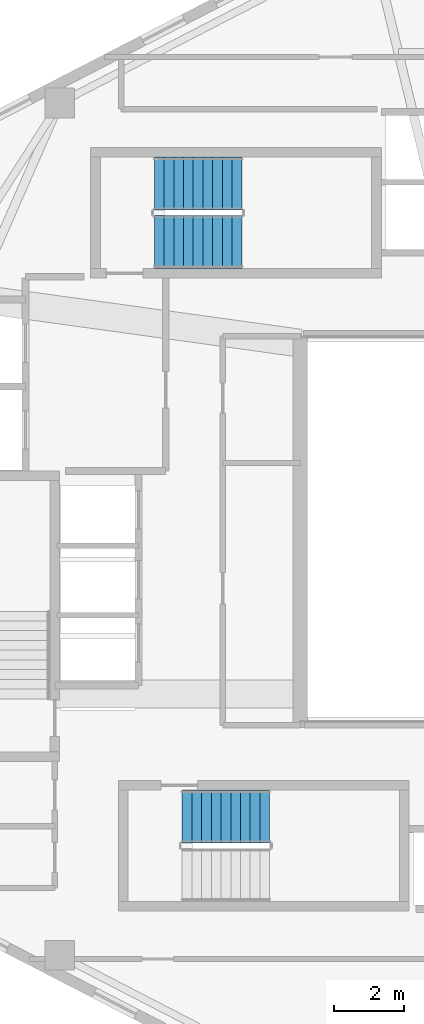
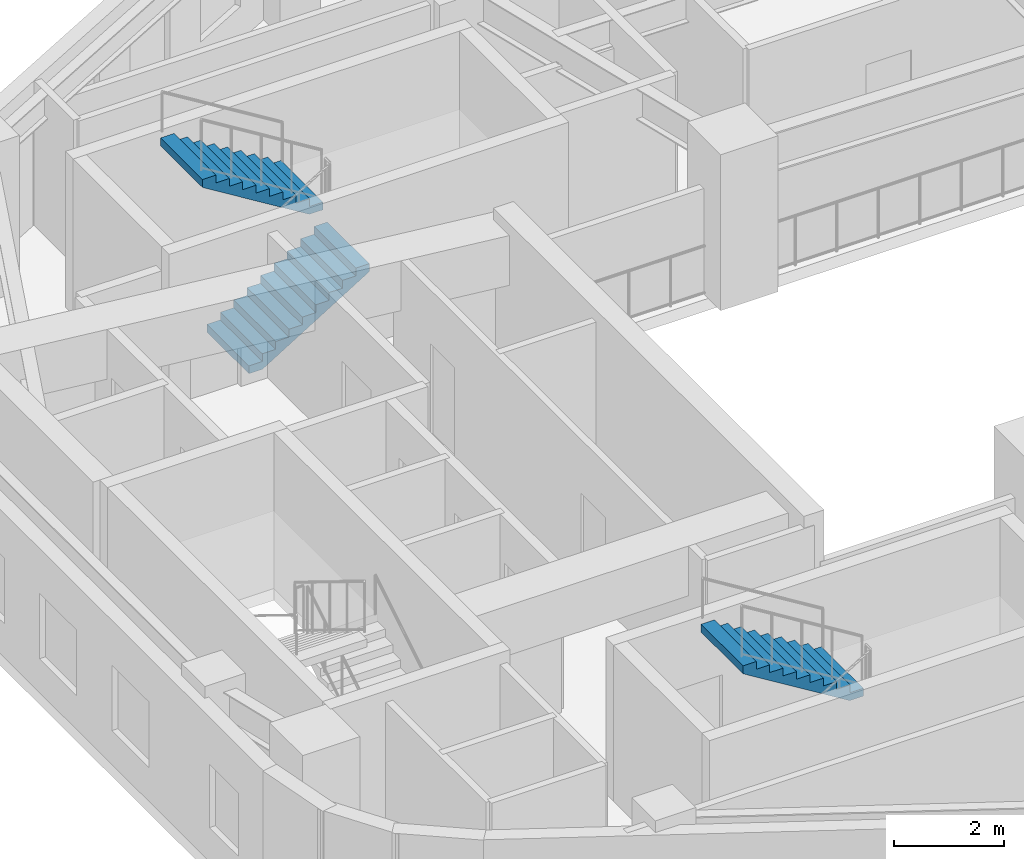
# One storey, part 6 of 7: 3 stair flights, 2 elements without a shape of their own.
"""IFC4 building model written with IfcOpenShell, lengths in metres."""

from ifc_helpers import new_model, si_unit, direction, frame, origin, place, context, subcontext, project, spatial, polyline, outline, extrude, material, type_object, element, aggregate, save


model = new_model("IFC4")

# Units and contexts
model_context = context("Model", 3, precision=1e-05, world=origin(), true_north=direction((0.0, 1.0)))
body_context = subcontext(model_context, "Body", "Model", "MODEL_VIEW")
ifc_project = project(units=[si_unit("LENGTHUNIT", "METRE"), si_unit("AREAUNIT", "SQUARE_METRE"), si_unit("VOLUMEUNIT", "CUBIC_METRE"), si_unit("PLANEANGLEUNIT", "RADIAN"), si_unit("MASSUNIT", "GRAM", prefix="KILO"), si_unit("THERMODYNAMICTEMPERATUREUNIT", "KELVIN"), si_unit("POWERUNIT", "WATT")], contexts=[model_context])

# Site, building, storey
site_placement = place(None, origin())
site = spatial("IfcSite", under=ifc_project, at=site_placement, CompositionType="ELEMENT")
building_placement = place(site_placement, origin())
building = spatial("IfcBuilding", under=site, at=building_placement, Name="Skarre Station Tower", CompositionType="ELEMENT")
storey_placement = place(building_placement, frame((0.0, 0.0, 196.449951171875)))
storey = spatial("IfcBuildingStorey", under=building, at=storey_placement, Name="L53", CompositionType="ELEMENT", Elevation=196.449951171875)

# Stair, stair flight
ifc_material = material(Name="Concrete C40/50", Category="concrete")
stair_type_1 = type_object("IfcStairType", Name="Reinforced Concrete Exit Stair ST-2", PredefinedType="HALF_TURN_STAIR", material=ifc_material)
stair_1_placement = place(storey_placement, origin())
stair_1 = element("IfcStair", 1, at=stair_1_placement, inside=storey, type_object=stair_type_1, Name="L53 Core Exit Stair ST-2", PredefinedType="HALF_TURN_STAIR")
stair_flight_type_1 = type_object("IfcStairFlightType", Name="Reinforced Concrete Stair Flight ST-2", PredefinedType="STRAIGHT", material=ifc_material)
stair_flight_1_placement = place(storey_placement, frame((26.669921875, 15.739990234375, 1.72509765625), z_axis=(0.0, 0.0, 1.0), x_axis=(-1.0, 0.0, 0.0)))
stair_flight_1 = element("IfcStairFlight", 2, at=stair_flight_1_placement, type_object=stair_flight_type_1, Name="ST-2 flight 2", NumberOfRisers=10, NumberOfTreads=9, PredefinedType="STRAIGHT", RiserHeight=0.1725, TreadLength=0.28, context=body_context, shape_type="SweptSolid", body=[
    extrude(outline(polyline([(0.0, 0.0), (0.0, 0.172607421875), (0.280029296875, 0.172607421875), (0.280029296875, 0.344970703125), (0.56005859375, 0.344970703125), (0.56005859375, 0.517578125), (0.840087890625, 0.517578125), (0.840087890625, 0.68994140625), (1.1201171875, 0.68994140625), (1.1201171875, 0.862548828125), (1.39990234375, 0.862548828125), (1.39990234375, 1.034912109375), (1.679931640625, 1.034912109375), (1.679931640625, 1.20751953125), (1.9599609375, 1.20751953125), (1.9599609375, 1.3798828125), (2.239990234375, 1.3798828125), (2.239990234375, 1.552490234375), (2.52001953125, 1.552490234375), (2.52001953125, 1.72509765625), (2.52001953125, 1.37646484375), (0.285888671875, 0.0), (0.0, 0.0)])), frame((0.0, 0.760009765625, 0.0), z_axis=(0.0, -1.0, 0.0), x_axis=(1.0, 0.0, 0.0)), (0.0, 0.0, 1.0), 1.52001953125),
])
aggregate(stair_1, [stair_flight_1])

# Stair, stair flights
stair_type_2 = type_object("IfcStairType", Name="Reinforced Concrete Exit Stair ST-3", PredefinedType="HALF_TURN_STAIR", material=ifc_material)
stair_2_placement = place(storey_placement, origin())
stair_2 = element("IfcStair", 3, at=stair_2_placement, inside=storey, type_object=stair_type_2, Name="L53 Core Exit Stair ST-3", PredefinedType="HALF_TURN_STAIR")
stair_flight_type_2 = type_object("IfcStairFlightType", Name="Reinforced Concrete Stair Flight ST-3", PredefinedType="STRAIGHT", material=ifc_material)
stair_flight_2_placement = place(storey_placement, frame((23.35009765625, 32.260009765625, 0.0), z_axis=(0.0, 0.0, 1.0), x_axis=(1.0, 0.0, 0.0)))
stair_flight_2 = element("IfcStairFlight", 4, at=stair_flight_2_placement, type_object=stair_flight_type_2, Name="ST-3 flight 1", NumberOfRisers=10, NumberOfTreads=9, PredefinedType="STRAIGHT", RiserHeight=0.1725, TreadLength=0.28, context=body_context, shape_type="SweptSolid", body=[
    extrude(outline(polyline([(0.0, 0.0), (0.0, 0.172607421875), (0.280029296875, 0.172607421875), (0.280029296875, 0.344970703125), (0.56005859375, 0.344970703125), (0.56005859375, 0.517578125), (0.840087890625, 0.517578125), (0.840087890625, 0.68994140625), (1.1201171875, 0.68994140625), (1.1201171875, 0.862548828125), (1.39990234375, 0.862548828125), (1.39990234375, 1.034912109375), (1.679931640625, 1.034912109375), (1.679931640625, 1.20751953125), (1.9599609375, 1.20751953125), (1.9599609375, 1.3798828125), (2.239990234375, 1.3798828125), (2.239990234375, 1.552490234375), (2.52001953125, 1.552490234375), (2.52001953125, 1.72509765625), (2.52001953125, 1.37646484375), (0.285888671875, 0.0), (0.0, 0.0)])), frame((0.0, 0.760009765625, 0.0), z_axis=(0.0, -1.0, 0.0), x_axis=(1.0, 0.0, 0.0)), (0.0, 0.0, 1.0), 1.52001953125),
])
stair_flight_3_placement = place(storey_placement, frame((25.8701171875, 33.93994140625, 1.72509765625), z_axis=(0.0, 0.0, 1.0), x_axis=(-1.0, 0.0, 0.0)))
stair_flight_3 = element("IfcStairFlight", 5, at=stair_flight_3_placement, type_object=stair_flight_type_2, Name="ST-3 flight 2", NumberOfRisers=10, NumberOfTreads=9, PredefinedType="STRAIGHT", RiserHeight=0.1725, TreadLength=0.28, context=body_context, shape_type="SweptSolid", body=[
    extrude(outline(polyline([(0.0, 0.0), (0.0, 0.172607421875), (0.280029296875, 0.172607421875), (0.280029296875, 0.344970703125), (0.56005859375, 0.344970703125), (0.56005859375, 0.517578125), (0.840087890625, 0.517578125), (0.840087890625, 0.68994140625), (1.1201171875, 0.68994140625), (1.1201171875, 0.862548828125), (1.39990234375, 0.862548828125), (1.39990234375, 1.034912109375), (1.679931640625, 1.034912109375), (1.679931640625, 1.20751953125), (1.9599609375, 1.20751953125), (1.9599609375, 1.3798828125), (2.239990234375, 1.3798828125), (2.239990234375, 1.552490234375), (2.52001953125, 1.552490234375), (2.52001953125, 1.72509765625), (2.52001953125, 1.37646484375), (0.285888671875, 0.0), (0.0, 0.0)])), frame((0.0, 0.760009765625, 0.0), z_axis=(0.0, -1.0, 0.0), x_axis=(1.0, 0.0, 0.0)), (0.0, 0.0, 1.0), 1.52001953125),
])
aggregate(stair_2, [stair_flight_2, stair_flight_3])

save(model, "model.ifc")
